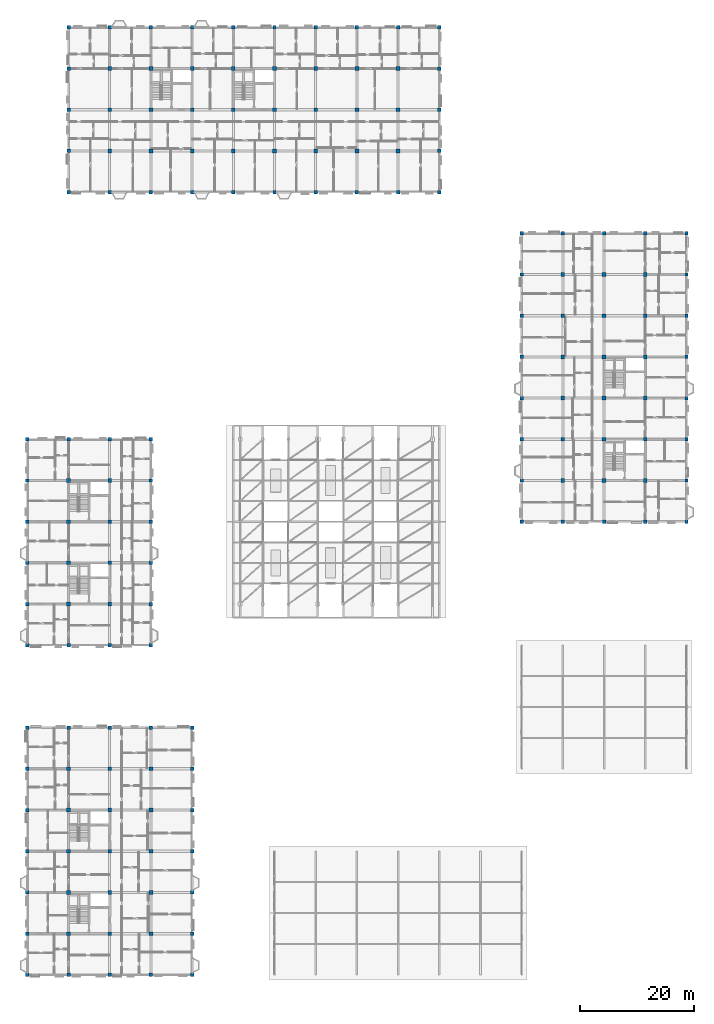
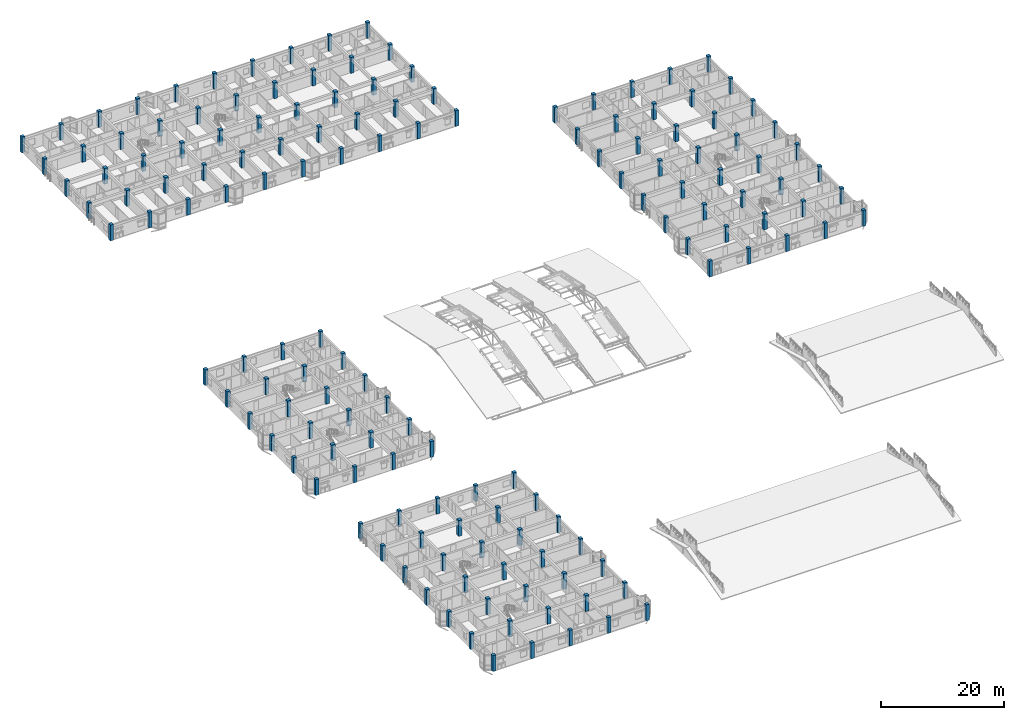
# One storey, part 1 of 124: 149 columns.
"""IFC4 building model written with IfcOpenShell, lengths in metres."""

from ifc_helpers import new_model, si_unit, direction, frame, origin, origin_2d, place, context, subcontext, project, spatial, rectangle, extrude, material, material_profile, profile_set, type_object, element, save


model = new_model("IFC4")

# Units and contexts
model_context = context("Model", 3, precision=1e-05, world=origin(), true_north=direction((0.0, 1.0)))
body_context = subcontext(model_context, "Body", "Model", "MODEL_VIEW")
ifc_project = project(units=[si_unit("LENGTHUNIT", "METRE"), si_unit("AREAUNIT", "SQUARE_METRE"), si_unit("VOLUMEUNIT", "CUBIC_METRE"), si_unit("PLANEANGLEUNIT", "RADIAN"), si_unit("MASSUNIT", "GRAM", prefix="KILO"), si_unit("THERMODYNAMICTEMPERATUREUNIT", "KELVIN"), si_unit("POWERUNIT", "WATT")], contexts=[model_context])

# Site, building, storey
site_placement = place(None, origin())
site = spatial("IfcSite", under=ifc_project, at=site_placement, CompositionType="ELEMENT")
building_placement = place(site_placement, origin())
building = spatial("IfcBuilding", under=site, at=building_placement, Name="Tavuni Mirador Residences", CompositionType="ELEMENT")
storey_placement = place(building_placement, frame((0.0, 0.0, 7.64990234375)))
storey = spatial("IfcBuildingStorey", under=building, at=storey_placement, Name="L02", CompositionType="ELEMENT", Elevation=7.64990234375)

# Columns
ifc_material_1 = material(Name="Precast concrete C40/50", Category="concrete")
ifc_material_profile_1 = material_profile(ifc_material_1, rectangle(XDim=0.60009765625, YDim=0.60009765625, at=origin_2d()), Name="RC 600x600", Category="concrete")
ifc_profile_set_1 = profile_set([ifc_material_profile_1], Name="Precast concrete C40/50")
column_type_1 = type_object("IfcColumnType", Name="CT-RC600", PredefinedType="COLUMN", material=ifc_profile_set_1)
for number, where, z_axis, x_axis, name in (
    (1, (3.60009765625, 7.199951171875, 0.0), (0.0, 0.0, 1.0), (1.0, 0.0, 0.0), "COL-BLK-A-L02-00-00"),
    (2, (3.60009765625, 14.39990234375, 0.0), (0.0, 0.0, 1.0), (1.0, 0.0, 0.0), "COL-BLK-A-L02-00-01"),
    (3, (3.60009765625, 21.60009765625, 0.0), (0.0, 0.0, 1.0), (1.0, 0.0, 0.0), "COL-BLK-A-L02-00-02"),
    (4, (3.60009765625, 28.800048828125, 0.0), (0.0, 0.0, 1.0), (1.0, 0.0, 0.0), "COL-BLK-A-L02-00-03"),
    (5, (3.60009765625, 36.0, 0.0), (0.0, 0.0, 1.0), (1.0, 0.0, 0.0), "COL-BLK-A-L02-00-04"),
    (6, (3.60009765625, 43.199951171875, 0.0), (0.0, 0.0, 1.0), (1.0, 0.0, 0.0), "COL-BLK-A-L02-00-05"),
    (7, (3.60009765625, 50.39990234375, 0.0), (0.0, 0.0, 1.0), (1.0, 0.0, 0.0), "COL-BLK-A-L02-00-06"),
    (8, (10.800048828125, 7.199951171875, 0.0), (0.0, 0.0, 1.0), (1.0, 0.0, 0.0), "COL-BLK-A-L02-01-00"),
    (9, (10.800048828125, 50.39990234375, 0.0), (0.0, 0.0, 1.0), (1.0, 0.0, 0.0), "COL-BLK-A-L02-01-06"),
    (10, (18.0, 7.199951171875, 0.0), (0.0, 0.0, 1.0), (1.0, 0.0, 0.0), "COL-BLK-A-L02-02-00"),
    (11, (18.0, 50.39990234375, 0.0), (0.0, 0.0, 1.0), (1.0, 0.0, 0.0), "COL-BLK-A-L02-02-06"),
    (12, (25.199951171875, 7.199951171875, 0.0), (0.0, 0.0, 1.0), (1.0, 0.0, 0.0), "COL-BLK-A-L02-03-00"),
    (13, (25.199951171875, 50.39990234375, 0.0), (0.0, 0.0, 1.0), (1.0, 0.0, 0.0), "COL-BLK-A-L02-03-06"),
    (14, (32.39990234375, 7.199951171875, 0.0), (0.0, 0.0, 1.0), (1.0, 0.0, 0.0), "COL-BLK-A-L02-04-00"),
    (15, (32.39990234375, 14.39990234375, 0.0), (0.0, 0.0, 1.0), (1.0, 0.0, 0.0), "COL-BLK-A-L02-04-01"),
    (16, (32.39990234375, 21.60009765625, 0.0), (0.0, 0.0, 1.0), (1.0, 0.0, 0.0), "COL-BLK-A-L02-04-02"),
    (17, (32.39990234375, 28.800048828125, 0.0), (0.0, 0.0, 1.0), (1.0, 0.0, 0.0), "COL-BLK-A-L02-04-03"),
    (18, (32.39990234375, 36.0, 0.0), (0.0, 0.0, 1.0), (1.0, 0.0, 0.0), "COL-BLK-A-L02-04-04"),
    (19, (32.39990234375, 43.199951171875, 0.0), (0.0, 0.0, 1.0), (1.0, 0.0, 0.0), "COL-BLK-A-L02-04-05"),
    (20, (32.39990234375, 50.39990234375, 0.0), (0.0, 0.0, 1.0), (1.0, 0.0, 0.0), "COL-BLK-A-L02-04-06"),
    (21, (3.60009765625, 64.800048828125, 0.0), (0.0, 0.0, 1.0), (1.0, 0.0, 0.0), "COL-BLK-B-L02-00-00"),
    (22, (3.60009765625, 72.0, 0.0), (0.0, 0.0, 1.0), (1.0, 0.0, 0.0), "COL-BLK-B-L02-00-01"),
    (23, (3.60009765625, 79.199951171875, 0.0), (0.0, 0.0, 1.0), (1.0, 0.0, 0.0), "COL-BLK-B-L02-00-02"),
    (24, (3.60009765625, 86.39990234375, 0.0), (0.0, 0.0, 1.0), (1.0, 0.0, 0.0), "COL-BLK-B-L02-00-03"),
    (25, (3.60009765625, 93.60009765625, 0.0), (0.0, 0.0, 1.0), (1.0, 0.0, 0.0), "COL-BLK-B-L02-00-04"),
    (26, (3.60009765625, 100.800048828125, 0.0), (0.0, 0.0, 1.0), (1.0, 0.0, 0.0), "COL-BLK-B-L02-00-05"),
    (27, (10.800048828125, 64.800048828125, 0.0), (0.0, 0.0, 1.0), (1.0, 0.0, 0.0), "COL-BLK-B-L02-01-00"),
    (28, (10.800048828125, 100.800048828125, 0.0), (0.0, 0.0, 1.0), (1.0, 0.0, 0.0), "COL-BLK-B-L02-01-05"),
    (29, (18.0, 64.800048828125, 0.0), (0.0, 0.0, 1.0), (1.0, 0.0, 0.0), "COL-BLK-B-L02-02-00"),
    (30, (18.0, 100.800048828125, 0.0), (0.0, 0.0, 1.0), (1.0, 0.0, 0.0), "COL-BLK-B-L02-02-05"),
    (31, (25.199951171875, 64.800048828125, 0.0), (0.0, 0.0, 1.0), (1.0, 0.0, 0.0), "COL-BLK-B-L02-03-00"),
    (32, (25.199951171875, 72.0, 0.0), (0.0, 0.0, 1.0), (1.0, 0.0, 0.0), "COL-BLK-B-L02-03-01"),
    (33, (25.199951171875, 79.199951171875, 0.0), (0.0, 0.0, 1.0), (1.0, 0.0, 0.0), "COL-BLK-B-L02-03-02"),
    (34, (25.199951171875, 86.39990234375, 0.0), (0.0, 0.0, 1.0), (1.0, 0.0, 0.0), "COL-BLK-B-L02-03-03"),
    (35, (25.199951171875, 93.60009765625, 0.0), (0.0, 0.0, 1.0), (1.0, 0.0, 0.0), "COL-BLK-B-L02-03-04"),
    (36, (25.199951171875, 100.800048828125, 0.0), (0.0, 0.0, 1.0), (1.0, 0.0, 0.0), "COL-BLK-B-L02-03-05"),
    (37, (10.800048828125, 144.0, 0.0), (0.0, 0.0, 1.0), (1.0, 0.0, 0.0), "COL-BLK-C-L02-00-00"),
    (38, (10.800048828125, 151.199951171875, 0.0), (0.0, 0.0, 1.0), (1.0, 0.0, 0.0), "COL-BLK-C-L02-00-01"),
    (39, (10.800048828125, 158.39990234375, 0.0), (0.0, 0.0, 1.0), (1.0, 0.0, 0.0), "COL-BLK-C-L02-00-02"),
    (40, (10.800048828125, 165.60009765625, 0.0), (0.0, 0.0, 1.0), (1.0, 0.0, 0.0), "COL-BLK-C-L02-00-03"),
    (41, (10.800048828125, 172.800048828125, 0.0), (0.0, 0.0, 1.0), (1.0, 0.0, 0.0), "COL-BLK-C-L02-00-04"),
    (42, (18.0, 144.0, 0.0), (0.0, 0.0, 1.0), (1.0, 0.0, 0.0), "COL-BLK-C-L02-01-00"),
    (43, (18.0, 172.800048828125, 0.0), (0.0, 0.0, 1.0), (1.0, 0.0, 0.0), "COL-BLK-C-L02-01-04"),
    (44, (25.199951171875, 144.0, 0.0), (0.0, 0.0, 1.0), (1.0, 0.0, 0.0), "COL-BLK-C-L02-02-00"),
    (45, (25.199951171875, 172.800048828125, 0.0), (0.0, 0.0, 1.0), (1.0, 0.0, 0.0), "COL-BLK-C-L02-02-04"),
    (46, (32.39990234375, 144.0, 0.0), (0.0, 0.0, 1.0), (1.0, 0.0, 0.0), "COL-BLK-C-L02-03-00"),
    (47, (32.39990234375, 172.800048828125, 0.0), (0.0, 0.0, 1.0), (1.0, 0.0, 0.0), "COL-BLK-C-L02-03-04"),
    (48, (39.60009765625, 144.0, 0.0), (0.0, 0.0, 1.0), (1.0, 0.0, 0.0), "COL-BLK-C-L02-04-00"),
    (49, (39.60009765625, 172.800048828125, 0.0), (0.0, 0.0, 1.0), (1.0, 0.0, 0.0), "COL-BLK-C-L02-04-04"),
    (50, (46.800048828125, 144.0, 0.0), (0.0, 0.0, 1.0), (1.0, 0.0, 0.0), "COL-BLK-C-L02-05-00"),
    (51, (46.800048828125, 172.800048828125, 0.0), (0.0, 0.0, 1.0), (1.0, 0.0, 0.0), "COL-BLK-C-L02-05-04"),
    (52, (54.0, 144.0, 0.0), (0.0, 0.0, 1.0), (1.0, 0.0, 0.0), "COL-BLK-C-L02-06-00"),
    (53, (54.0, 172.800048828125, 0.0), (0.0, 0.0, 1.0), (1.0, 0.0, 0.0), "COL-BLK-C-L02-06-04"),
    (54, (61.199951171875, 144.0, 0.0), (0.0, 0.0, 1.0), (1.0, 0.0, 0.0), "COL-BLK-C-L02-07-00"),
    (55, (61.199951171875, 172.800048828125, 0.0), (0.0, 0.0, 1.0), (1.0, 0.0, 0.0), "COL-BLK-C-L02-07-04"),
    (56, (68.39990234375, 144.0, 0.0), (0.0, 0.0, 1.0), (1.0, 0.0, 0.0), "COL-BLK-C-L02-08-00"),
    (57, (68.39990234375, 172.800048828125, 0.0), (0.0, 0.0, 1.0), (1.0, 0.0, 0.0), "COL-BLK-C-L02-08-04"),
    (58, (75.60009765625, 144.0, 0.0), (0.0, 0.0, 1.0), (1.0, 0.0, 0.0), "COL-BLK-C-L02-09-00"),
    (59, (75.60009765625, 151.199951171875, 0.0), (0.0, 0.0, 1.0), (1.0, 0.0, 0.0), "COL-BLK-C-L02-09-01"),
    (60, (75.60009765625, 158.39990234375, 0.0), (0.0, 0.0, 1.0), (1.0, 0.0, 0.0), "COL-BLK-C-L02-09-02"),
    (61, (75.60009765625, 165.60009765625, 0.0), (0.0, 0.0, 1.0), (1.0, 0.0, 0.0), "COL-BLK-C-L02-09-03"),
    (62, (75.60009765625, 172.800048828125, 0.0), (0.0, 0.0, 1.0), (1.0, 0.0, 0.0), "COL-BLK-C-L02-09-04"),
    (63, (90.0, 86.39990234375, 0.0), (0.0, 0.0, 1.0), (1.0, 0.0, 0.0), "COL-BLK-D-L02-00-00"),
    (64, (90.0, 93.60009765625, 0.0), (0.0, 0.0, 1.0), (1.0, 0.0, 0.0), "COL-BLK-D-L02-00-01"),
    (65, (90.0, 100.800048828125, 0.0), (0.0, 0.0, 1.0), (1.0, 0.0, 0.0), "COL-BLK-D-L02-00-02"),
    (66, (90.0, 108.0, 0.0), (0.0, 0.0, 1.0), (1.0, 0.0, 0.0), "COL-BLK-D-L02-00-03"),
    (67, (90.0, 115.199951171875, 0.0), (0.0, 0.0, 1.0), (1.0, 0.0, 0.0), "COL-BLK-D-L02-00-04"),
    (68, (90.0, 122.39990234375, 0.0), (0.0, 0.0, 1.0), (1.0, 0.0, 0.0), "COL-BLK-D-L02-00-05"),
    (69, (90.0, 129.60009765625, 0.0), (0.0, 0.0, 1.0), (1.0, 0.0, 0.0), "COL-BLK-D-L02-00-06"),
    (70, (90.0, 136.800048828125, 0.0), (0.0, 0.0, 1.0), (1.0, 0.0, 0.0), "COL-BLK-D-L02-00-07"),
    (71, (97.199951171875, 86.39990234375, 0.0), (0.0, 0.0, 1.0), (1.0, 0.0, 0.0), "COL-BLK-D-L02-01-00"),
    (72, (97.199951171875, 136.800048828125, 0.0), (0.0, 0.0, 1.0), (1.0, 0.0, 0.0), "COL-BLK-D-L02-01-07"),
    (73, (104.39990234375, 86.39990234375, 0.0), (0.0, 0.0, 1.0), (1.0, 0.0, 0.0), "COL-BLK-D-L02-02-00"),
    (74, (104.39990234375, 136.800048828125, 0.0), (0.0, 0.0, 1.0), (1.0, 0.0, 0.0), "COL-BLK-D-L02-02-07"),
    (75, (111.60009765625, 86.39990234375, 0.0), (0.0, 0.0, 1.0), (1.0, 0.0, 0.0), "COL-BLK-D-L02-03-00"),
    (76, (111.60009765625, 136.800048828125, 0.0), (0.0, 0.0, 1.0), (1.0, 0.0, 0.0), "COL-BLK-D-L02-03-07"),
    (77, (118.800048828125, 86.39990234375, 0.0), (0.0, 0.0, 1.0), (1.0, 0.0, 0.0), "COL-BLK-D-L02-04-00"),
    (78, (118.800048828125, 93.60009765625, 0.0), (0.0, 0.0, 1.0), (1.0, 0.0, 0.0), "COL-BLK-D-L02-04-01"),
    (79, (118.800048828125, 100.800048828125, 0.0), (0.0, 0.0, 1.0), (1.0, 0.0, 0.0), "COL-BLK-D-L02-04-02"),
    (80, (118.800048828125, 108.0, 0.0), (0.0, 0.0, 1.0), (1.0, 0.0, 0.0), "COL-BLK-D-L02-04-03"),
    (81, (118.800048828125, 115.199951171875, 0.0), (0.0, 0.0, 1.0), (1.0, 0.0, 0.0), "COL-BLK-D-L02-04-04"),
    (82, (118.800048828125, 122.39990234375, 0.0), (0.0, 0.0, 1.0), (1.0, 0.0, 0.0), "COL-BLK-D-L02-04-05"),
    (83, (118.800048828125, 129.60009765625, 0.0), (0.0, 0.0, 1.0), (1.0, 0.0, 0.0), "COL-BLK-D-L02-04-06"),
    (84, (118.800048828125, 136.800048828125, 0.0), (0.0, 0.0, 1.0), (1.0, 0.0, 0.0), "COL-BLK-D-L02-04-07"),
):
    element("IfcColumn", number, at=place(storey_placement, frame(where, z_axis=z_axis, x_axis=x_axis)), inside=storey, type_object=column_type_1, Name=name, PredefinedType="COLUMN", context=body_context, shape_type="SweptSolid", body=[
        extrude(rectangle(XDim=0.60009765625, YDim=0.60009765625, at=origin_2d()), origin(), (0.0, 0.0, 1.0), 3.150146484375),
    ])
ifc_material_2 = material(Name="In-situ concrete C35/45", Category="concrete")
ifc_material_profile_2 = material_profile(ifc_material_2, rectangle(XDim=0.64990234375, YDim=0.64990234375, at=origin_2d()), Name="RC 650x650", Category="concrete")
ifc_profile_set_2 = profile_set([ifc_material_profile_2], Name="In-situ concrete C35/45")
column_type_2 = type_object("IfcColumnType", Name="CT-RC650", PredefinedType="COLUMN", material=ifc_profile_set_2)
for number, where, z_axis, x_axis, name in (
    (85, (10.800048828125, 14.39990234375, 0.0), (0.0, 0.0, 1.0), (1.0, 0.0, 0.0), "COL-BLK-A-L02-01-01"),
    (86, (10.800048828125, 21.60009765625, 0.0), (0.0, 0.0, 1.0), (1.0, 0.0, 0.0), "COL-BLK-A-L02-01-02"),
    (87, (10.800048828125, 28.800048828125, 0.0), (0.0, 0.0, 1.0), (1.0, 0.0, 0.0), "COL-BLK-A-L02-01-03"),
    (88, (10.800048828125, 36.0, 0.0), (0.0, 0.0, 1.0), (1.0, 0.0, 0.0), "COL-BLK-A-L02-01-04"),
    (89, (10.800048828125, 43.199951171875, 0.0), (0.0, 0.0, 1.0), (1.0, 0.0, 0.0), "COL-BLK-A-L02-01-05"),
    (90, (18.0, 14.39990234375, 0.0), (0.0, 0.0, 1.0), (1.0, 0.0, 0.0), "COL-BLK-A-L02-02-01"),
    (91, (18.0, 21.60009765625, 0.0), (0.0, 0.0, 1.0), (1.0, 0.0, 0.0), "COL-BLK-A-L02-02-02"),
    (92, (18.0, 28.800048828125, 0.0), (0.0, 0.0, 1.0), (1.0, 0.0, 0.0), "COL-BLK-A-L02-02-03"),
    (93, (18.0, 36.0, 0.0), (0.0, 0.0, 1.0), (1.0, 0.0, 0.0), "COL-BLK-A-L02-02-04"),
    (94, (18.0, 43.199951171875, 0.0), (0.0, 0.0, 1.0), (1.0, 0.0, 0.0), "COL-BLK-A-L02-02-05"),
    (95, (25.199951171875, 14.39990234375, 0.0), (0.0, 0.0, 1.0), (1.0, 0.0, 0.0), "COL-BLK-A-L02-03-01"),
    (96, (25.199951171875, 21.60009765625, 0.0), (0.0, 0.0, 1.0), (1.0, 0.0, 0.0), "COL-BLK-A-L02-03-02"),
    (97, (25.199951171875, 28.800048828125, 0.0), (0.0, 0.0, 1.0), (1.0, 0.0, 0.0), "COL-BLK-A-L02-03-03"),
    (98, (25.199951171875, 36.0, 0.0), (0.0, 0.0, 1.0), (1.0, 0.0, 0.0), "COL-BLK-A-L02-03-04"),
    (99, (25.199951171875, 43.199951171875, 0.0), (0.0, 0.0, 1.0), (1.0, 0.0, 0.0), "COL-BLK-A-L02-03-05"),
    (100, (10.800048828125, 72.0, 0.0), (0.0, 0.0, 1.0), (1.0, 0.0, 0.0), "COL-BLK-B-L02-01-01"),
    (101, (10.800048828125, 79.199951171875, 0.0), (0.0, 0.0, 1.0), (1.0, 0.0, 0.0), "COL-BLK-B-L02-01-02"),
    (102, (10.800048828125, 86.39990234375, 0.0), (0.0, 0.0, 1.0), (1.0, 0.0, 0.0), "COL-BLK-B-L02-01-03"),
    (103, (10.800048828125, 93.60009765625, 0.0), (0.0, 0.0, 1.0), (1.0, 0.0, 0.0), "COL-BLK-B-L02-01-04"),
    (104, (18.0, 72.0, 0.0), (0.0, 0.0, 1.0), (1.0, 0.0, 0.0), "COL-BLK-B-L02-02-01"),
    (105, (18.0, 79.199951171875, 0.0), (0.0, 0.0, 1.0), (1.0, 0.0, 0.0), "COL-BLK-B-L02-02-02"),
    (106, (18.0, 86.39990234375, 0.0), (0.0, 0.0, 1.0), (1.0, 0.0, 0.0), "COL-BLK-B-L02-02-03"),
    (107, (18.0, 93.60009765625, 0.0), (0.0, 0.0, 1.0), (1.0, 0.0, 0.0), "COL-BLK-B-L02-02-04"),
    (108, (18.0, 151.199951171875, 0.0), (0.0, 0.0, 1.0), (1.0, 0.0, 0.0), "COL-BLK-C-L02-01-01"),
    (109, (18.0, 158.39990234375, 0.0), (0.0, 0.0, 1.0), (1.0, 0.0, 0.0), "COL-BLK-C-L02-01-02"),
    (110, (18.0, 165.60009765625, 0.0), (0.0, 0.0, 1.0), (1.0, 0.0, 0.0), "COL-BLK-C-L02-01-03"),
    (111, (25.199951171875, 151.199951171875, 0.0), (0.0, 0.0, 1.0), (1.0, 0.0, 0.0), "COL-BLK-C-L02-02-01"),
    (112, (25.199951171875, 158.39990234375, 0.0), (0.0, 0.0, 1.0), (1.0, 0.0, 0.0), "COL-BLK-C-L02-02-02"),
    (113, (25.199951171875, 165.60009765625, 0.0), (0.0, 0.0, 1.0), (1.0, 0.0, 0.0), "COL-BLK-C-L02-02-03"),
    (114, (32.39990234375, 151.199951171875, 0.0), (0.0, 0.0, 1.0), (1.0, 0.0, 0.0), "COL-BLK-C-L02-03-01"),
    (115, (32.39990234375, 158.39990234375, 0.0), (0.0, 0.0, 1.0), (1.0, 0.0, 0.0), "COL-BLK-C-L02-03-02"),
    (116, (32.39990234375, 165.60009765625, 0.0), (0.0, 0.0, 1.0), (1.0, 0.0, 0.0), "COL-BLK-C-L02-03-03"),
    (117, (39.60009765625, 151.199951171875, 0.0), (0.0, 0.0, 1.0), (1.0, 0.0, 0.0), "COL-BLK-C-L02-04-01"),
    (118, (39.60009765625, 158.39990234375, 0.0), (0.0, 0.0, 1.0), (1.0, 0.0, 0.0), "COL-BLK-C-L02-04-02"),
    (119, (39.60009765625, 165.60009765625, 0.0), (0.0, 0.0, 1.0), (1.0, 0.0, 0.0), "COL-BLK-C-L02-04-03"),
    (120, (46.800048828125, 151.199951171875, 0.0), (0.0, 0.0, 1.0), (1.0, 0.0, 0.0), "COL-BLK-C-L02-05-01"),
    (121, (46.800048828125, 158.39990234375, 0.0), (0.0, 0.0, 1.0), (1.0, 0.0, 0.0), "COL-BLK-C-L02-05-02"),
    (122, (46.800048828125, 165.60009765625, 0.0), (0.0, 0.0, 1.0), (1.0, 0.0, 0.0), "COL-BLK-C-L02-05-03"),
    (123, (54.0, 151.199951171875, 0.0), (0.0, 0.0, 1.0), (1.0, 0.0, 0.0), "COL-BLK-C-L02-06-01"),
    (124, (54.0, 158.39990234375, 0.0), (0.0, 0.0, 1.0), (1.0, 0.0, 0.0), "COL-BLK-C-L02-06-02"),
    (125, (54.0, 165.60009765625, 0.0), (0.0, 0.0, 1.0), (1.0, 0.0, 0.0), "COL-BLK-C-L02-06-03"),
    (126, (61.199951171875, 151.199951171875, 0.0), (0.0, 0.0, 1.0), (1.0, 0.0, 0.0), "COL-BLK-C-L02-07-01"),
    (127, (61.199951171875, 158.39990234375, 0.0), (0.0, 0.0, 1.0), (1.0, 0.0, 0.0), "COL-BLK-C-L02-07-02"),
    (128, (61.199951171875, 165.60009765625, 0.0), (0.0, 0.0, 1.0), (1.0, 0.0, 0.0), "COL-BLK-C-L02-07-03"),
    (129, (68.39990234375, 151.199951171875, 0.0), (0.0, 0.0, 1.0), (1.0, 0.0, 0.0), "COL-BLK-C-L02-08-01"),
    (130, (68.39990234375, 158.39990234375, 0.0), (0.0, 0.0, 1.0), (1.0, 0.0, 0.0), "COL-BLK-C-L02-08-02"),
    (131, (68.39990234375, 165.60009765625, 0.0), (0.0, 0.0, 1.0), (1.0, 0.0, 0.0), "COL-BLK-C-L02-08-03"),
    (132, (97.199951171875, 93.60009765625, 0.0), (0.0, 0.0, 1.0), (1.0, 0.0, 0.0), "COL-BLK-D-L02-01-01"),
    (133, (97.199951171875, 100.800048828125, 0.0), (0.0, 0.0, 1.0), (1.0, 0.0, 0.0), "COL-BLK-D-L02-01-02"),
    (134, (97.199951171875, 108.0, 0.0), (0.0, 0.0, 1.0), (1.0, 0.0, 0.0), "COL-BLK-D-L02-01-03"),
    (135, (97.199951171875, 115.199951171875, 0.0), (0.0, 0.0, 1.0), (1.0, 0.0, 0.0), "COL-BLK-D-L02-01-04"),
    (136, (97.199951171875, 122.39990234375, 0.0), (0.0, 0.0, 1.0), (1.0, 0.0, 0.0), "COL-BLK-D-L02-01-05"),
    (137, (97.199951171875, 129.60009765625, 0.0), (0.0, 0.0, 1.0), (1.0, 0.0, 0.0), "COL-BLK-D-L02-01-06"),
    (138, (104.39990234375, 93.60009765625, 0.0), (0.0, 0.0, 1.0), (1.0, 0.0, 0.0), "COL-BLK-D-L02-02-01"),
    (139, (104.39990234375, 100.800048828125, 0.0), (0.0, 0.0, 1.0), (1.0, 0.0, 0.0), "COL-BLK-D-L02-02-02"),
    (140, (104.39990234375, 108.0, 0.0), (0.0, 0.0, 1.0), (1.0, 0.0, 0.0), "COL-BLK-D-L02-02-03"),
    (141, (104.39990234375, 115.199951171875, 0.0), (0.0, 0.0, 1.0), (1.0, 0.0, 0.0), "COL-BLK-D-L02-02-04"),
    (142, (104.39990234375, 122.39990234375, 0.0), (0.0, 0.0, 1.0), (1.0, 0.0, 0.0), "COL-BLK-D-L02-02-05"),
    (143, (104.39990234375, 129.60009765625, 0.0), (0.0, 0.0, 1.0), (1.0, 0.0, 0.0), "COL-BLK-D-L02-02-06"),
    (144, (111.60009765625, 93.60009765625, 0.0), (0.0, 0.0, 1.0), (1.0, 0.0, 0.0), "COL-BLK-D-L02-03-01"),
    (145, (111.60009765625, 100.800048828125, 0.0), (0.0, 0.0, 1.0), (1.0, 0.0, 0.0), "COL-BLK-D-L02-03-02"),
    (146, (111.60009765625, 108.0, 0.0), (0.0, 0.0, 1.0), (1.0, 0.0, 0.0), "COL-BLK-D-L02-03-03"),
    (147, (111.60009765625, 115.199951171875, 0.0), (0.0, 0.0, 1.0), (1.0, 0.0, 0.0), "COL-BLK-D-L02-03-04"),
    (148, (111.60009765625, 122.39990234375, 0.0), (0.0, 0.0, 1.0), (1.0, 0.0, 0.0), "COL-BLK-D-L02-03-05"),
    (149, (111.60009765625, 129.60009765625, 0.0), (0.0, 0.0, 1.0), (1.0, 0.0, 0.0), "COL-BLK-D-L02-03-06"),
):
    element("IfcColumn", number, at=place(storey_placement, frame(where, z_axis=z_axis, x_axis=x_axis)), inside=storey, type_object=column_type_2, Name=name, PredefinedType="COLUMN", context=body_context, shape_type="SweptSolid", body=[
        extrude(rectangle(XDim=0.64990234375, YDim=0.64990234375, at=origin_2d()), origin(), (0.0, 0.0, 1.0), 3.150146484375),
    ])

save(model, "model.ifc")
